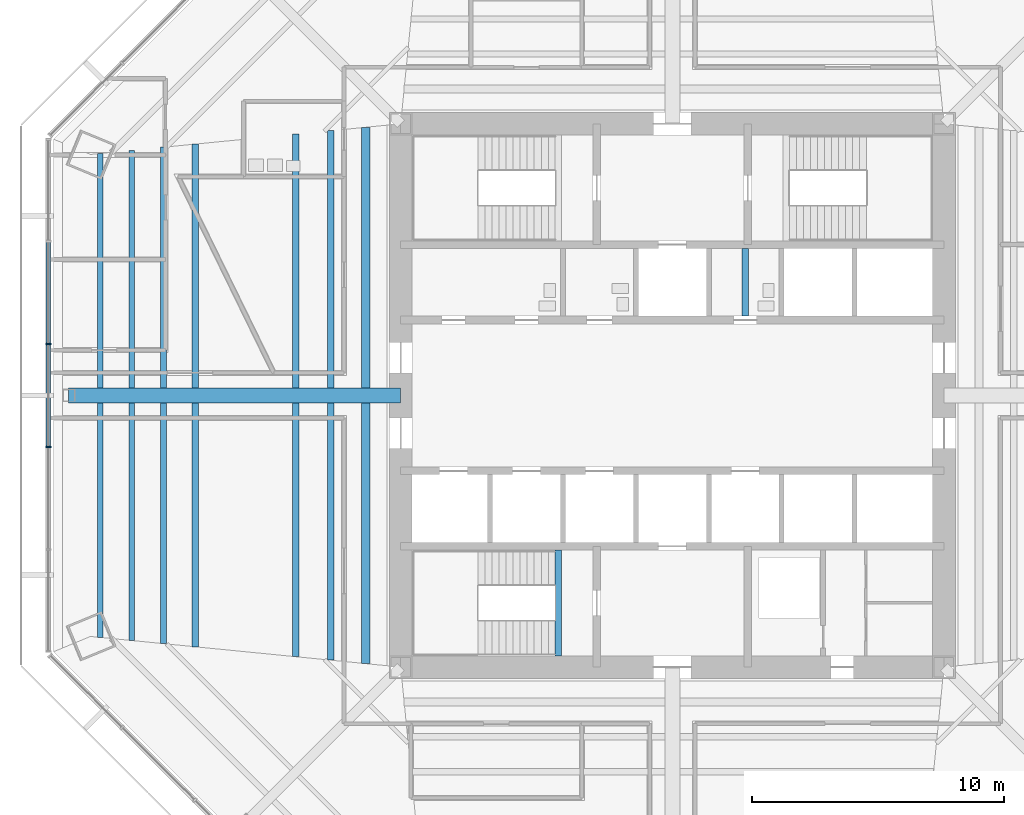
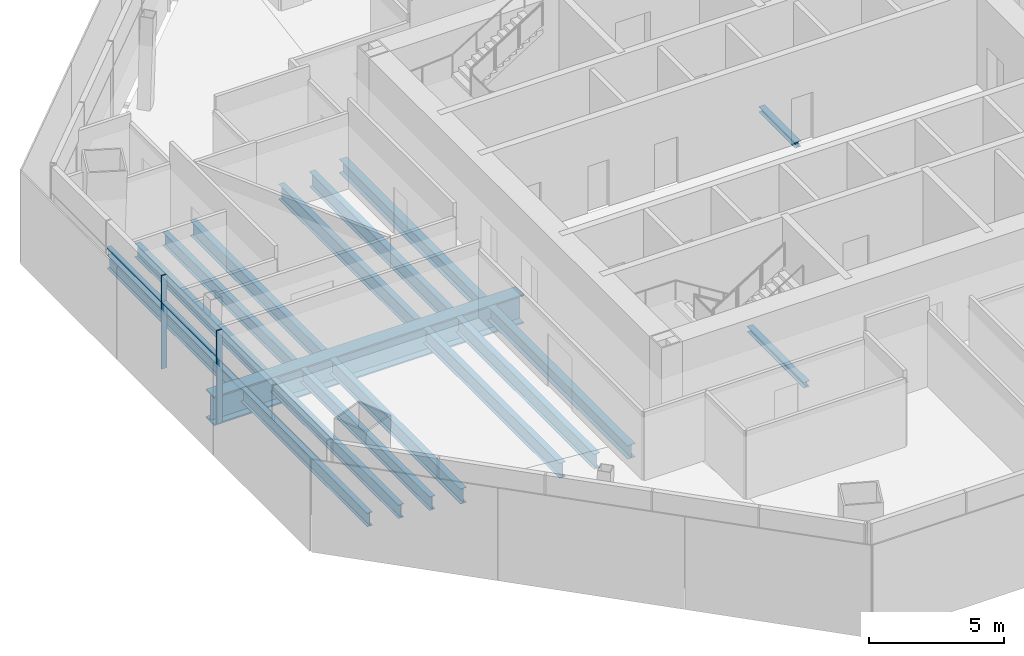
# One storey, part 3 of 14: 17 beams, 4 members, 1 element without a shape of its own.
"""IFC4 building model written with IfcOpenShell, lengths in metres."""

from ifc_helpers import new_model, si_unit, direction, frame, origin, origin_2d, place, context, subcontext, project, spatial, rectangle, i_section, extrude, source, transform, mapped, material, material_profile, profile_set, type_object, type_shapes, element, aggregate, save


model = new_model("IFC4")

# Units and contexts
model_context = context("Model", 3, precision=1e-05, world=origin(), true_north=direction((0.0, 1.0)))
body_context = subcontext(model_context, "Body", "Model", "MODEL_VIEW")
ifc_project = project(units=[si_unit("LENGTHUNIT", "METRE"), si_unit("AREAUNIT", "SQUARE_METRE"), si_unit("VOLUMEUNIT", "CUBIC_METRE"), si_unit("PLANEANGLEUNIT", "RADIAN"), si_unit("MASSUNIT", "GRAM", prefix="KILO")], contexts=[model_context])

# Site, building, storey
site_placement = place(None, origin())
site = spatial("IfcSite", under=ifc_project, at=site_placement, CompositionType="ELEMENT")
building_placement = place(site_placement, origin())
building = spatial("IfcBuilding", under=site, at=building_placement, Name="Mashrafa Tower", CompositionType="ELEMENT")
storey_placement = place(building_placement, frame((0.0, 0.0, 113.39990234375)))
storey = spatial("IfcBuildingStorey", under=building, at=storey_placement, Name="L25", CompositionType="ELEMENT", Elevation=113.39990234375)

# Beams
ifc_material_1 = material(Name="Steel ASTM A572 Gr 50", Category="steel")
ifc_material_profile_1 = material_profile(ifc_material_1, i_section(OverallWidth=0.60009765625, OverallDepth=1.300048828125, WebThickness=0.028076171875, FlangeThickness=0.06494140625, at=origin_2d()), Name="H1300X600X28X65")
ifc_profile_set_1 = profile_set([ifc_material_profile_1], Name="Steel ASTM A572 Gr 50")
beam_type_1 = type_object("IfcBeamType", Name="Beam H1300X600X28X65", PredefinedType="BEAM", material=ifc_profile_set_1)
beam_1_placement = place(storey_placement, frame((-10.800048828125, 0.0, -0.81494140625), z_axis=(-1.0, 0.0, 0.0), x_axis=(0.0, -1.0, 0.0)))
element("IfcBeam", 1, at=beam_1_placement, inside=storey, type_object=beam_type_1, Name="Radial girder L25 082", PredefinedType="BEAM", context=body_context, shape_type="SweptSolid", body=[
    extrude(i_section(OverallWidth=0.60009765625, OverallDepth=1.300048828125, WebThickness=0.028076171875, FlangeThickness=0.06494140625, at=origin_2d()), origin(), (0.0, 0.0, 1.0), 13.21142578125),
])
ifc_material_2 = material(Name="Steel ASTM A992", Category="steel")
ifc_material_profile_2 = material_profile(ifc_material_2, i_section(OverallWidth=0.3251953125, OverallDepth=0.612060546875, WebThickness=0.0126953125, FlangeThickness=0.01904296875, FilletRadius=0.0126953125, at=origin_2d()), Name="W24X104")
ifc_profile_set_2 = profile_set([ifc_material_profile_2], Name="Steel ASTM A992")
beam_type_2 = type_object("IfcBeamType", Name="Beam W24X104", PredefinedType="BEAM", material=ifc_profile_set_2)
for number, where, z_axis, x_axis, name in (
    (2, (-12.18896484375, -10.662841796875, -0.470947265625), (0.0, 1.0, 0.0), (-1.0, 0.0, 0.0), "Floor beam L25 020"),
    (3, (-12.18896484375, 0.300048828125, -0.470947265625), (0.0, 1.0, 0.0), (-1.0, 0.0, 0.0), "Floor beam L25 021"),
):
    element("IfcBeam", number, at=place(storey_placement, frame(where, z_axis=z_axis, x_axis=x_axis)), inside=storey, type_object=beam_type_2, Name=name, PredefinedType="BEAM", context=body_context, shape_type="SweptSolid", body=[
        extrude(i_section(OverallWidth=0.3251953125, OverallDepth=0.612060546875, WebThickness=0.0126953125, FlangeThickness=0.01904296875, FilletRadius=0.0126953125, at=origin_2d()), origin(), (0.0, 0.0, 1.0), 10.36279296875),
    ])
ifc_material_3 = material(Name="Steel ASTM A992", Category="steel")
ifc_material_profile_3 = material_profile(ifc_material_3, i_section(OverallWidth=0.22900390625, OverallDepth=0.612060546875, WebThickness=0.011962890625, FlangeThickness=0.01953125, FilletRadius=0.0126953125, at=origin_2d()), Name="W24X84")
ifc_profile_set_3 = profile_set([ifc_material_profile_3], Name="Steel ASTM A992")
beam_type_3 = type_object("IfcBeamType", Name="Beam W24X84", PredefinedType="BEAM", material=ifc_profile_set_3)
for number, where, z_axis, x_axis, name in (
    (4, (-22.75048828125, -9.619873046875, -0.470947265625), (0.0, 1.0, 0.0), (-1.0, 0.0, 0.0), "Floor beam L25 001"),
    (5, (-22.75048828125, 0.300048828125, -0.470947265625), (0.0, 1.0, 0.0), (-1.0, 0.0, 0.0), "Floor beam L25 002"),
):
    element("IfcBeam", number, at=place(storey_placement, frame(where, z_axis=z_axis, x_axis=x_axis)), inside=storey, type_object=beam_type_3, Name=name, PredefinedType="BEAM", context=body_context, shape_type="SweptSolid", body=[
        extrude(i_section(OverallWidth=0.22900390625, OverallDepth=0.612060546875, WebThickness=0.011962890625, FlangeThickness=0.01953125, FilletRadius=0.0126953125, at=origin_2d()), origin(), (0.0, 0.0, 1.0), 9.31982421875),
    ])
for number, where, z_axis, x_axis, name in (
    (6, (-21.4892578125, -9.744384765625, -0.470947265625), (0.0, 1.0, 0.0), (-1.0, 0.0, 0.0), "Floor beam L25 004"),
    (7, (-21.4892578125, 0.300048828125, -0.470947265625), (0.0, 1.0, 0.0), (-1.0, 0.0, 0.0), "Floor beam L25 005"),
):
    element("IfcBeam", number, at=place(storey_placement, frame(where, z_axis=z_axis, x_axis=x_axis)), inside=storey, type_object=beam_type_3, Name=name, PredefinedType="BEAM", context=body_context, shape_type="SweptSolid", body=[
        extrude(i_section(OverallWidth=0.22900390625, OverallDepth=0.612060546875, WebThickness=0.011962890625, FlangeThickness=0.01953125, FilletRadius=0.0126953125, at=origin_2d()), origin(), (0.0, 0.0, 1.0), 9.4443359375),
    ])
for number, where, z_axis, x_axis, name in (
    (8, (-20.22802734375, -9.868896484375, -0.470947265625), (0.0, 1.0, 0.0), (-1.0, 0.0, 0.0), "Floor beam L25 006"),
    (9, (-20.22802734375, 0.300048828125, -0.470947265625), (0.0, 1.0, 0.0), (-1.0, 0.0, 0.0), "Floor beam L25 007"),
):
    element("IfcBeam", number, at=place(storey_placement, frame(where, z_axis=z_axis, x_axis=x_axis)), inside=storey, type_object=beam_type_3, Name=name, PredefinedType="BEAM", context=body_context, shape_type="SweptSolid", body=[
        extrude(i_section(OverallWidth=0.22900390625, OverallDepth=0.612060546875, WebThickness=0.011962890625, FlangeThickness=0.01953125, FilletRadius=0.0126953125, at=origin_2d()), origin(), (0.0, 0.0, 1.0), 9.56884765625),
    ])
ifc_material_4 = material(Name="Steel ASTM A992", Category="steel")
ifc_material_profile_4 = material_profile(ifc_material_4, i_section(OverallWidth=0.25390625, OverallDepth=0.67822265625, WebThickness=0.01171875, FlangeThickness=0.016357421875, FilletRadius=0.01513671875, at=origin_2d()), Name="W27X84")
ifc_profile_set_4 = profile_set([ifc_material_profile_4], Name="Steel ASTM A992")
beam_type_4 = type_object("IfcBeamType", Name="Beam W27X84", PredefinedType="BEAM", material=ifc_profile_set_4)
for number, where, z_axis, x_axis, name in (
    (10, (-18.967041015625, -9.993408203125, -0.50390625), (0.0, 1.0, 0.0), (-1.0, 0.0, 0.0), "Floor beam L25 009"),
    (11, (-18.967041015625, 0.300048828125, -0.50390625), (0.0, 1.0, 0.0), (-1.0, 0.0, 0.0), "Floor beam L25 010"),
):
    element("IfcBeam", number, at=place(storey_placement, frame(where, z_axis=z_axis, x_axis=x_axis)), inside=storey, type_object=beam_type_4, Name=name, PredefinedType="BEAM", context=body_context, shape_type="SweptSolid", body=[
        extrude(i_section(OverallWidth=0.25390625, OverallDepth=0.67822265625, WebThickness=0.01171875, FlangeThickness=0.016357421875, FilletRadius=0.01513671875, at=origin_2d()), origin(), (0.0, 0.0, 1.0), 9.693359375),
    ])
ifc_material_5 = material(Name="Steel ASTM A992", Category="steel")
ifc_material_profile_5 = material_profile(ifc_material_5, i_section(OverallWidth=0.25390625, OverallDepth=0.683349609375, WebThickness=0.012451171875, FlangeThickness=0.01904296875, FilletRadius=0.01513671875, at=origin_2d()), Name="W27X94")
ifc_profile_set_5 = profile_set([ifc_material_profile_5], Name="Steel ASTM A992")
beam_type_5 = type_object("IfcBeamType", Name="Beam W27X94", PredefinedType="BEAM", material=ifc_profile_set_5)
for number, where, z_axis, x_axis, name in (
    (12, (-14.967041015625, -10.388427734375, -0.506591796875), (0.0, 1.0, 0.0), (-1.0, 0.0, 0.0), "Floor beam L25 015"),
    (13, (-14.967041015625, 0.300048828125, -0.506591796875), (0.0, 1.0, 0.0), (-1.0, 0.0, 0.0), "Floor beam L25 016"),
):
    element("IfcBeam", number, at=place(storey_placement, frame(where, z_axis=z_axis, x_axis=x_axis)), inside=storey, type_object=beam_type_5, Name=name, PredefinedType="BEAM", context=body_context, shape_type="SweptSolid", body=[
        extrude(i_section(OverallWidth=0.25390625, OverallDepth=0.683349609375, WebThickness=0.012451171875, FlangeThickness=0.01904296875, FilletRadius=0.01513671875, at=origin_2d()), origin(), (0.0, 0.0, 1.0), 10.08837890625),
    ])
for number, where, z_axis, x_axis, name in (
    (14, (-13.577880859375, -10.525634765625, -0.506591796875), (0.0, 1.0, 0.0), (-1.0, 0.0, 0.0), "Floor beam L25 018"),
    (15, (-13.577880859375, 0.300048828125, -0.506591796875), (0.0, 1.0, 0.0), (-1.0, 0.0, 0.0), "Floor beam L25 019"),
):
    element("IfcBeam", number, at=place(storey_placement, frame(where, z_axis=z_axis, x_axis=x_axis)), inside=storey, type_object=beam_type_5, Name=name, PredefinedType="BEAM", context=body_context, shape_type="SweptSolid", body=[
        extrude(i_section(OverallWidth=0.25390625, OverallDepth=0.683349609375, WebThickness=0.012451171875, FlangeThickness=0.01904296875, FilletRadius=0.01513671875, at=origin_2d()), origin(), (0.0, 0.0, 1.0), 10.2255859375),
    ])
ifc_material_6 = material(Name="Steel ASTM A992", Category="steel")
ifc_material_profile_6 = material_profile(ifc_material_6, i_section(OverallWidth=0.25390625, OverallDepth=0.25390625, WebThickness=0.008544921875, FlangeThickness=0.01416015625, FilletRadius=0.010009765625, at=origin_2d()), Name="W10X49")
ifc_profile_set_6 = profile_set([ifc_material_profile_6], Name="Steel ASTM A992")
beam_type_6 = type_object("IfcBeamType", Name="Hoistway beam W10X49", PredefinedType="BEAM", material=ifc_profile_set_6)
beam_2_placement = place(storey_placement, frame((2.89990234375, 3.14990234375, -0.2919921875), z_axis=(0.0, 1.0, 0.0), x_axis=(-1.0, 0.0, 0.0)))
element("IfcBeam", 16, at=beam_2_placement, inside=storey, type_object=beam_type_6, Name="Hoistway beam L25 06", PredefinedType="BEAM", context=body_context, shape_type="SweptSolid", body=[
    extrude(i_section(OverallWidth=0.25390625, OverallDepth=0.25390625, WebThickness=0.008544921875, FlangeThickness=0.01416015625, FilletRadius=0.010009765625, at=origin_2d()), origin(), (0.0, 0.0, 1.0), 2.7001953125),
])
beam_3_placement = place(storey_placement, frame((-4.530029296875, -10.35009765625, -0.326904296875), z_axis=(0.0, 1.0, 0.0), x_axis=(-1.0, 0.0, 0.0)))
element("IfcBeam", 17, at=beam_3_placement, inside=storey, type_object=beam_type_6, Name="Stair S3 landing beam L25", PredefinedType="BEAM", context=body_context, shape_type="SweptSolid", body=[
    extrude(i_section(OverallWidth=0.25390625, OverallDepth=0.25390625, WebThickness=0.008544921875, FlangeThickness=0.01416015625, FilletRadius=0.010009765625, at=origin_2d()), origin(), (0.0, 0.0, 1.0), 4.2001953125),
])

# Curtain wall, members
ifc_material_7 = material(Name="Unitised aluminium curtain wall", Category="aluminium")
curtain_wall_type = type_object("IfcCurtainWallType", Name="Office curtain wall, zone 2 CW-B 225 deep", PredefinedType="NOTDEFINED", material=ifc_material_7)
curtain_wall_placement = place(storey_placement, origin())
curtain_wall = element("IfcCurtainWall", 18, at=curtain_wall_placement, inside=storey, type_object=curtain_wall_type, Name="Office curtain wall, zone 2 L25 west", PredefinedType="NOTDEFINED")
ifc_material_8 = material(Name="Extruded aluminium mullion", Category="aluminium")
ifc_material_profile_7 = material_profile(ifc_material_8, rectangle(XDim=0.22509765625, YDim=0.06494140625, at=origin_2d()), Name="Mullion 65x225")
ifc_profile_set_7 = profile_set([ifc_material_profile_7], Name="Extruded aluminium mullion")
member_type_1 = type_object("IfcMemberType", Name="Mullion CW-B 65 x 225", PredefinedType="MULLION", material=ifc_profile_set_7)
shared_shape_1 = source(origin(), body_context, "Body", "SweptSolid", [
    extrude(rectangle(XDim=0.22509765625, YDim=0.06494140625, at=origin_2d()), origin(), (0.0, 0.0, 1.0), 4.2001953125),
])
type_shapes(member_type_1, [shared_shape_1])
member_1_placement = place(storey_placement, frame((-24.806884765625, 2.043701171875, 0.0), z_axis=(0.0, 0.0, 1.0), x_axis=(1.0, 0.0, 0.0)))
member_1 = element("IfcMember", 19, at=member_1_placement, type_object=member_type_1, Name="CW-B mullion 3", PredefinedType="MULLION", context=body_context, shape_type="MappedRepresentation", body=[
    mapped(shared_shape_1, transform((0.0, 0.0, 0.0))),
])
member_2_placement = place(storey_placement, frame((-24.806884765625, -2.043701171875, 0.0), z_axis=(0.0, 0.0, 1.0), x_axis=(1.0, 0.0, 0.0)))
member_2 = element("IfcMember", 20, at=member_2_placement, type_object=member_type_1, Name="CW-B mullion 4", PredefinedType="MULLION", context=body_context, shape_type="MappedRepresentation", body=[
    mapped(shared_shape_1, transform((0.0, 0.0, 0.0))),
])
ifc_material_9 = material(Name="Extruded aluminium transom", Category="aluminium")
ifc_material_profile_8 = material_profile(ifc_material_9, rectangle(XDim=0.179931640625, YDim=0.080078125, at=origin_2d()), Name="Transom 80x180")
ifc_profile_set_8 = profile_set([ifc_material_profile_8], Name="Extruded aluminium transom")
member_type_2 = type_object("IfcMemberType", Name="Transom CW-B 80 x 180", PredefinedType="MULLION", material=ifc_profile_set_8)
shared_shape_2 = source(origin(), body_context, "Body", "SweptSolid", [
    extrude(rectangle(XDim=0.179931640625, YDim=0.080078125, at=origin_2d()), origin(), (0.0, 0.0, 1.0), 4.0224609375),
])
type_shapes(member_type_2, [shared_shape_2])
member_3_placement = place(storey_placement, frame((-24.806884765625, 6.0986328125, 3.0), z_axis=(0.0, -1.0, 0.0), x_axis=(1.0, 0.0, 0.0)))
member_3 = element("IfcMember", 21, at=member_3_placement, type_object=member_type_2, Name="CW-B transom 2", PredefinedType="MULLION", context=body_context, shape_type="MappedRepresentation", body=[
    mapped(shared_shape_2, transform((0.0, 0.0, 0.0))),
])
member_4_placement = place(storey_placement, frame((-24.806884765625, 2.01123046875, 3.0), z_axis=(0.0, -1.0, 0.0), x_axis=(1.0, 0.0, 0.0)))
member_4 = element("IfcMember", 22, at=member_4_placement, type_object=member_type_2, Name="CW-B transom 3", PredefinedType="MULLION", context=body_context, shape_type="MappedRepresentation", body=[
    mapped(shared_shape_2, transform((0.0, 0.0, 0.0))),
])
aggregate(curtain_wall, [member_1, member_2, member_3, member_4])

save(model, "model.ifc")
